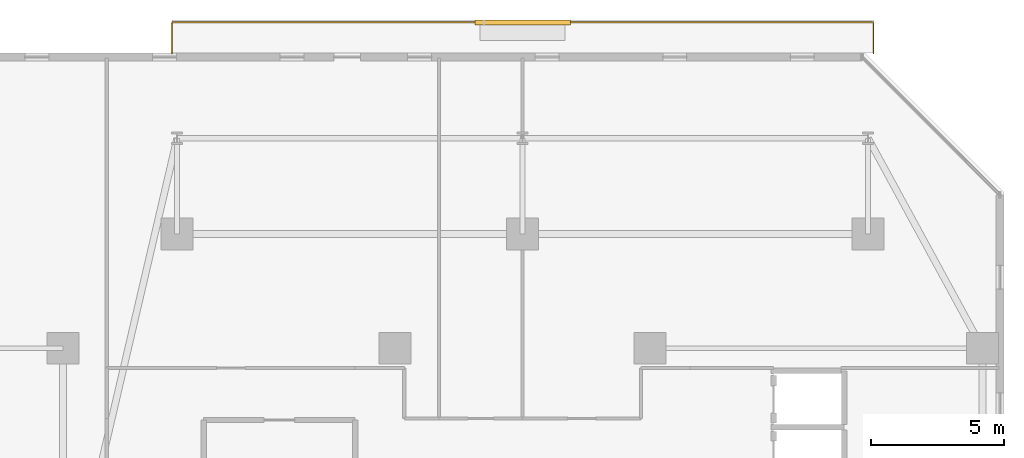
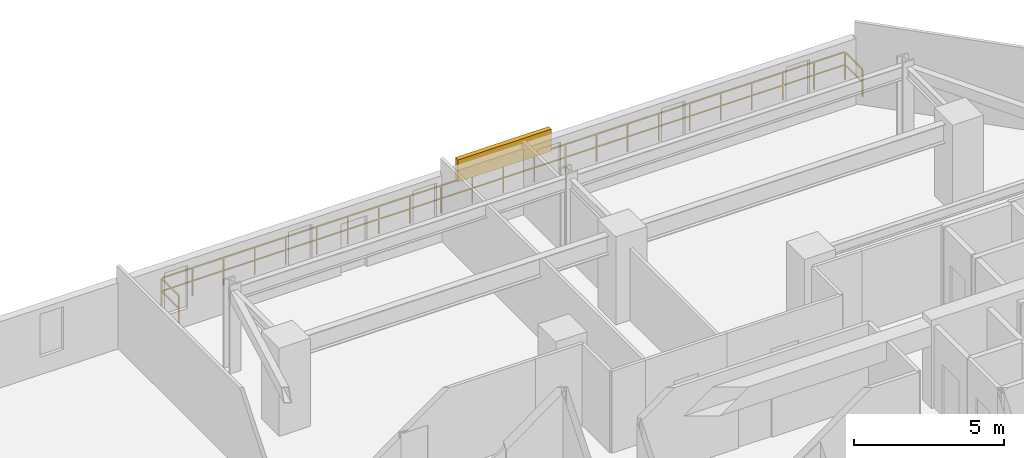
# One storey, part 31 of 31: 1 railing, 1 shading device.
"""IFC4 building model written with IfcOpenShell, lengths in metres."""

import ifcopenshell
import ifcopenshell.guid

model = None  # the IFC model being written
_history = None  # IfcOwnerHistory: only IFC2X3 demands one
_inside = {}  # id of a spatial element -> (the spatial element, [elements in it])
_under = {}  # id of a project, library or spatial element -> (it, [spatial elements below it])
_declared = {}  # id of a project -> (the project, [libraries it declares])
_typed = {}  # id of a type object -> (the type object, [elements of that type])
_made_of = {}  # id of a material, layer set ... -> (it, [elements and type objects made of it])


def new_model(schema):
    """Start an empty IFC model of exactly this schema.

    Asked for "IFC4X3", IfcOpenShell would pick the latest addendum, in which some entities
    have other attributes; the version numbers below select the first issue.
    IFC2X3 requires an IfcOwnerHistory on every rooted entity: one is made here for all.
    """
    global model, _history
    if schema == "IFC4X3":
        model = ifcopenshell.file(schema_version=(4, 3, 0, 0))
    else:
        model = ifcopenshell.file(schema=schema)
    _inside.clear()
    _under.clear()
    _declared.clear()
    _typed.clear()
    _made_of.clear()
    _history = None
    if model.schema == "IFC2X3":
        org = make("IfcOrganization", Name="unknown")
        user = make(
            "IfcPersonAndOrganization",
            ThePerson=make("IfcPerson", FamilyName="unknown"),
            TheOrganization=org,
        )
        app = make(
            "IfcApplication",
            ApplicationDeveloper=org,
            Version="unknown",
            ApplicationFullName="unknown",
            ApplicationIdentifier="unknown",
        )
        _history = make(
            "IfcOwnerHistory",
            OwningUser=user,
            OwningApplication=app,
            ChangeAction="ADDED",
            CreationDate=0,
        )
    return model


def make(cls, **values):
    """One entity of the class cls with the attributes given. An attribute that is None is left unset."""
    return model.create_entity(
        cls, **{name: value for name, value in values.items() if value is not None}
    )


def rooted(cls, **values):
    """An entity with a GlobalId (a new one), such as an element, a storey or a relation."""
    return make(cls, GlobalId=ifcopenshell.guid.new(), OwnerHistory=_history, **values)


def si_unit(unit_type, name, prefix=None):
    """IfcSIUnit, for example si_unit("LENGTHUNIT", "METRE", prefix="MILLI")."""
    return make("IfcSIUnit", UnitType=unit_type, Prefix=prefix, Name=name)


def assignment(units):
    """IfcUnitAssignment: the units of a project."""
    return None if units is None else make("IfcUnitAssignment", Units=units)


def point(xyz):
    """IfcCartesianPoint."""
    return None if xyz is None else make("IfcCartesianPoint", Coordinates=xyz)


def direction(xyz):
    """IfcDirection."""
    return None if xyz is None else make("IfcDirection", DirectionRatios=xyz)


def frame(location, z_axis=None, x_axis=None):
    """IfcAxis2Placement3D, a coordinate frame: its origin and axes. An axis left out is left unset."""
    return make(
        "IfcAxis2Placement3D",
        Location=point(location),
        Axis=direction(z_axis),
        RefDirection=direction(x_axis),
    )


def frame_2d(location, x_axis=None):
    """IfcAxis2Placement2D, a coordinate frame in the plane: its origin and x axis."""
    return make(
        "IfcAxis2Placement2D", Location=point(location), RefDirection=direction(x_axis)
    )


def origin():
    """The frame at (0, 0, 0) with its axes left unset."""
    return frame((0.0, 0.0, 0.0))


def origin_2d():
    """The frame at (0, 0) in the plane with its x axis left unset."""
    return frame_2d((0.0, 0.0))


def place(relative_to, where):
    """IfcLocalPlacement: puts the frame where relative to a parent placement (None: the world)."""
    return make(
        "IfcLocalPlacement", PlacementRelTo=relative_to, RelativePlacement=where
    )


def context(
    kind, dimensions, precision=None, world=None, true_north=None, identifier=None
):
    """IfcGeometricRepresentationContext, for example the 3D "Model" context."""
    return make(
        "IfcGeometricRepresentationContext",
        ContextIdentifier=identifier,
        ContextType=kind,
        CoordinateSpaceDimension=dimensions,
        Precision=precision,
        WorldCoordinateSystem=world,
        TrueNorth=true_north,
    )


def subcontext(parent, identifier, kind, view, scale=None):
    """IfcGeometricRepresentationSubContext, for example "Body" below "Model"."""
    return make(
        "IfcGeometricRepresentationSubContext",
        ContextIdentifier=identifier,
        ContextType=kind,
        ParentContext=parent,
        TargetScale=scale,
        TargetView=view,
    )


def project(units=None, contexts=None):
    """IfcProject with its units and contexts."""
    return rooted(
        "IfcProject",
        Name="project",
        RepresentationContexts=contexts,
        UnitsInContext=assignment(units),
    )


def spatial(cls, under=None, at=None, **own):
    """A site, building, storey or space (cls), placed at a placement, below another one or the project."""
    s = rooted(cls, ObjectPlacement=at, **own)
    if under is not None:
        _under.setdefault(under.id(), (under, []))[1].append(s)
    return s


def profile(cls, at=None, kind="AREA", **sizes):
    """A parametric profile (cls). Its sizes go by their IFC names, for example OverallWidth=200.0."""
    return make(cls, ProfileType=kind, Position=at, **sizes)


def rectangle(**sizes):
    """IfcRectangleProfileDef."""
    return profile("IfcRectangleProfileDef", **sizes)


def extrude(swept, where, along, depth):
    """IfcExtrudedAreaSolid: the profile swept, set in the frame where, extruded along a direction by depth."""
    return make(
        "IfcExtrudedAreaSolid",
        SweptArea=swept,
        Position=where,
        ExtrudedDirection=direction(along),
        Depth=depth,
    )


def shape(context_of_items, identifier, shape_type, items):
    """IfcShapeRepresentation: the items that make up one representation, for example the "Body"."""
    return make(
        "IfcShapeRepresentation",
        ContextOfItems=context_of_items,
        RepresentationIdentifier=identifier,
        RepresentationType=shape_type,
        Items=items,
    )


def material(Name=None, Category=None):
    """IfcMaterial."""
    return make("IfcMaterial", Name=Name, Category=Category)


def made_of(thing, what):
    """Note that an element or type object is made of a material, layer set ...; save() writes the relation."""
    if what is not None:
        _made_of.setdefault(what.id(), (what, []))[1].append(thing)
    return thing


def type_object(cls, material=None, **own):
    """A type object (cls), such as IfcWallType, which elements share."""
    return made_of(rooted(cls, **own), material)


def element(
    cls,
    number,
    at=None,
    inside=None,
    cuts=None,
    type_object=None,
    material=None,
    context=None,
    identifier="Body",
    shape_type=None,
    held_by="IfcProductDefinitionShape",
    body=None,
    shapes=None,
    **own,
):
    """One element of the class cls, such as IfcWall. Its Tag is "e" and its number.

    at: its placement. inside: the storey or other place that contains it. cuts: it is an
    opening in that element (IfcRelVoidsElement). A single representation is given by context,
    identifier, shape_type and body (its items); several are given by shapes. held_by: the class
    of the entity that holds the representations. save() writes the other relations.
    """
    e = rooted(cls, Tag="e%d" % number, ObjectPlacement=at, **own)
    if body is not None:
        shapes = [shape(context, identifier, shape_type, body)]
    if shapes is not None:
        e.Representation = make(held_by, Representations=shapes)
    if inside is not None:
        _inside.setdefault(inside.id(), (inside, []))[1].append(e)
    if cuts is not None:
        rooted(
            "IfcRelVoidsElement", RelatingBuildingElement=cuts, RelatedOpeningElement=e
        )
    if type_object is not None:
        _typed.setdefault(type_object.id(), (type_object, []))[1].append(e)
    return made_of(e, material)


def aggregate(whole, parts):
    """IfcRelAggregates: a whole, such as a stair, and the parts it consists of."""
    return rooted("IfcRelAggregates", RelatingObject=whole, RelatedObjects=parts)


def save(model, path):
    """Write the relations noted so far, then the file.

    IfcRelAggregates (storeys below a building ...), IfcRelContainedInSpatialStructure (elements
    in a storey), IfcRelDefinesByType, IfcRelAssociatesMaterial and IfcRelDeclares: one each for
    every whole, place, type object, material and project.
    """
    for whole, parts in _under.values():
        aggregate(whole, parts)
    for where, things in _inside.values():
        rooted(
            "IfcRelContainedInSpatialStructure",
            RelatedElements=things,
            RelatingStructure=where,
        )
    for kind, things in _typed.values():
        rooted("IfcRelDefinesByType", RelatedObjects=things, RelatingType=kind)
    for what, things in _made_of.values():
        rooted("IfcRelAssociatesMaterial", RelatedObjects=things, RelatingMaterial=what)
    for by, libraries in _declared.values():
        rooted("IfcRelDeclares", RelatingContext=by, RelatedDefinitions=libraries)
    model.write(path)


model = new_model("IFC4")

# Units and contexts
model_context = context("Model", 3, precision=1e-05, world=origin(), true_north=direction((0.0, 1.0)))
body_context = subcontext(model_context, "Body", "Model", "MODEL_VIEW")
ifc_project = project(units=[si_unit("LENGTHUNIT", "METRE"), si_unit("AREAUNIT", "SQUARE_METRE"), si_unit("VOLUMEUNIT", "CUBIC_METRE"), si_unit("PLANEANGLEUNIT", "RADIAN"), si_unit("MASSUNIT", "GRAM", prefix="KILO")], contexts=[model_context])

# Site, building, storey
site_placement = place(None, origin())
site = spatial("IfcSite", under=ifc_project, at=site_placement, CompositionType="ELEMENT")
building_placement = place(site_placement, origin())
building = spatial("IfcBuilding", under=site, at=building_placement, Name="Thornwick Lancets Civic Towers", CompositionType="ELEMENT")
storey_placement = place(building_placement, frame((0.0, 0.0, 87.300048828125)))
storey = spatial("IfcBuildingStorey", under=building, at=storey_placement, Name="L22", CompositionType="ELEMENT", Elevation=87.300048828125)

# Railing
ifc_material_1 = material(Name="Terracotta-capped laminated glass balustrade S355", Category="masonry")
railing_type = type_object("IfcRailingType", Name="RAIL_TERR_GUARD", PredefinedType="GUARDRAIL", material=ifc_material_1)
railing_placement = place(storey_placement, frame((75.300048828125, 51.10009765625, 0.0)))
element("IfcRailing", 1, at=railing_placement, inside=storey, type_object=railing_type, Name="L22 Tower B Balcony Guard N", PredefinedType="GUARDRAIL", context=body_context, shape_type="SweptSolid", body=[
    extrude(rectangle(XDim=0.048095703125, YDim=0.048095703125, at=origin_2d()), frame((0.0, 0.0, 1.1259765625), z_axis=(0.0, 1.0, 0.0), x_axis=(-1.0, 0.0, 0.0)), (0.0, 0.0, 1.0), 1.138671875),
    extrude(rectangle(XDim=0.0419921875, YDim=0.0419921875, at=origin_2d()), frame((0.0, 0.03759765625, 0.597900390625), z_axis=(0.0, 1.0, 0.0), x_axis=(-1.0, 0.0, 0.0)), (0.0, 0.0, 1.0), 1.094970703125),
    extrude(rectangle(XDim=0.048095703125, YDim=0.048095703125, at=origin_2d()), frame((0.03125, 1.169921875, 1.1259765625), z_axis=(1.0, 0.0, 0.0), x_axis=(0.0, 1.0, 0.0)), (0.0, 0.0, 1.0), 26.33740234375),
    extrude(rectangle(XDim=0.0419921875, YDim=0.0419921875, at=origin_2d()), frame((0.03759765625, 1.169921875, 0.597900390625), z_axis=(1.0, 0.0, 0.0), x_axis=(0.0, 1.0, 0.0)), (0.0, 0.0, 1.0), 1.125),
    extrude(rectangle(XDim=0.0419921875, YDim=0.0419921875, at=origin_2d()), frame((1.237548828125, 1.169921875, 0.597900390625), z_axis=(1.0, 0.0, 0.0), x_axis=(0.0, 1.0, 0.0)), (0.0, 0.0, 1.0), 1.125),
    extrude(rectangle(XDim=0.0419921875, YDim=0.0419921875, at=origin_2d()), frame((2.4375, 1.169921875, 0.597900390625), z_axis=(1.0, 0.0, 0.0), x_axis=(0.0, 1.0, 0.0)), (0.0, 0.0, 1.0), 1.125),
    extrude(rectangle(XDim=0.0419921875, YDim=0.0419921875, at=origin_2d()), frame((3.637451171875, 1.169921875, 0.597900390625), z_axis=(1.0, 0.0, 0.0), x_axis=(0.0, 1.0, 0.0)), (0.0, 0.0, 1.0), 1.125),
    extrude(rectangle(XDim=0.0419921875, YDim=0.0419921875, at=origin_2d()), frame((4.83740234375, 1.169921875, 0.597900390625), z_axis=(1.0, 0.0, 0.0), x_axis=(0.0, 1.0, 0.0)), (0.0, 0.0, 1.0), 1.125),
    extrude(rectangle(XDim=0.0419921875, YDim=0.0419921875, at=origin_2d()), frame((6.037353515625, 1.169921875, 0.597900390625), z_axis=(1.0, 0.0, 0.0), x_axis=(0.0, 1.0, 0.0)), (0.0, 0.0, 1.0), 1.125),
    extrude(rectangle(XDim=0.0419921875, YDim=0.0419921875, at=origin_2d()), frame((7.237548828125, 1.169921875, 0.597900390625), z_axis=(1.0, 0.0, 0.0), x_axis=(0.0, 1.0, 0.0)), (0.0, 0.0, 1.0), 1.125),
    extrude(rectangle(XDim=0.0419921875, YDim=0.0419921875, at=origin_2d()), frame((8.4375, 1.169921875, 0.597900390625), z_axis=(1.0, 0.0, 0.0), x_axis=(0.0, 1.0, 0.0)), (0.0, 0.0, 1.0), 1.125),
    extrude(rectangle(XDim=0.0419921875, YDim=0.0419921875, at=origin_2d()), frame((9.637451171875, 1.169921875, 0.597900390625), z_axis=(1.0, 0.0, 0.0), x_axis=(0.0, 1.0, 0.0)), (0.0, 0.0, 1.0), 1.125),
    extrude(rectangle(XDim=0.0419921875, YDim=0.0419921875, at=origin_2d()), frame((10.83740234375, 1.169921875, 0.597900390625), z_axis=(1.0, 0.0, 0.0), x_axis=(0.0, 1.0, 0.0)), (0.0, 0.0, 1.0), 1.125),
    extrude(rectangle(XDim=0.0419921875, YDim=0.0419921875, at=origin_2d()), frame((12.037353515625, 1.169921875, 0.597900390625), z_axis=(1.0, 0.0, 0.0), x_axis=(0.0, 1.0, 0.0)), (0.0, 0.0, 1.0), 1.125),
    extrude(rectangle(XDim=0.0419921875, YDim=0.0419921875, at=origin_2d()), frame((13.237548828125, 1.169921875, 0.597900390625), z_axis=(1.0, 0.0, 0.0), x_axis=(0.0, 1.0, 0.0)), (0.0, 0.0, 1.0), 1.125),
    extrude(rectangle(XDim=0.0419921875, YDim=0.0419921875, at=origin_2d()), frame((14.4375, 1.169921875, 0.597900390625), z_axis=(1.0, 0.0, 0.0), x_axis=(0.0, 1.0, 0.0)), (0.0, 0.0, 1.0), 1.125),
    extrude(rectangle(XDim=0.0419921875, YDim=0.0419921875, at=origin_2d()), frame((15.637451171875, 1.169921875, 0.597900390625), z_axis=(1.0, 0.0, 0.0), x_axis=(0.0, 1.0, 0.0)), (0.0, 0.0, 1.0), 1.125),
    extrude(rectangle(XDim=0.0419921875, YDim=0.0419921875, at=origin_2d()), frame((16.83740234375, 1.169921875, 0.597900390625), z_axis=(1.0, 0.0, 0.0), x_axis=(0.0, 1.0, 0.0)), (0.0, 0.0, 1.0), 1.125),
    extrude(rectangle(XDim=0.0419921875, YDim=0.0419921875, at=origin_2d()), frame((18.037353515625, 1.169921875, 0.597900390625), z_axis=(1.0, 0.0, 0.0), x_axis=(0.0, 1.0, 0.0)), (0.0, 0.0, 1.0), 1.125),
    extrude(rectangle(XDim=0.0419921875, YDim=0.0419921875, at=origin_2d()), frame((19.2373046875, 1.169921875, 0.597900390625), z_axis=(1.0, 0.0, 0.0), x_axis=(0.0, 1.0, 0.0)), (0.0, 0.0, 1.0), 1.125),
    extrude(rectangle(XDim=0.0419921875, YDim=0.0419921875, at=origin_2d()), frame((20.4375, 1.169921875, 0.597900390625), z_axis=(1.0, 0.0, 0.0), x_axis=(0.0, 1.0, 0.0)), (0.0, 0.0, 1.0), 1.125),
    extrude(rectangle(XDim=0.0419921875, YDim=0.0419921875, at=origin_2d()), frame((21.637451171875, 1.169921875, 0.597900390625), z_axis=(1.0, 0.0, 0.0), x_axis=(0.0, 1.0, 0.0)), (0.0, 0.0, 1.0), 1.125),
    extrude(rectangle(XDim=0.0419921875, YDim=0.0419921875, at=origin_2d()), frame((22.83740234375, 1.169921875, 0.597900390625), z_axis=(1.0, 0.0, 0.0), x_axis=(0.0, 1.0, 0.0)), (0.0, 0.0, 1.0), 1.125),
    extrude(rectangle(XDim=0.0419921875, YDim=0.0419921875, at=origin_2d()), frame((24.037353515625, 1.169921875, 0.597900390625), z_axis=(1.0, 0.0, 0.0), x_axis=(0.0, 1.0, 0.0)), (0.0, 0.0, 1.0), 1.125),
    extrude(rectangle(XDim=0.0419921875, YDim=0.0419921875, at=origin_2d()), frame((25.2373046875, 1.169921875, 0.597900390625), z_axis=(1.0, 0.0, 0.0), x_axis=(0.0, 1.0, 0.0)), (0.0, 0.0, 1.0), 1.125),
    extrude(rectangle(XDim=0.048095703125, YDim=0.048095703125, at=origin_2d()), frame((26.39990234375, 1.138671875, 1.1259765625), z_axis=(0.0, -1.0, 0.0), x_axis=(1.0, 0.0, 0.0)), (0.0, 0.0, 1.0), 1.138671875),
    extrude(rectangle(XDim=0.0419921875, YDim=0.0419921875, at=origin_2d()), frame((26.39990234375, 1.13232421875, 0.597900390625), z_axis=(0.0, -1.0, 0.0), x_axis=(1.0, 0.0, 0.0)), (0.0, 0.0, 1.0), 1.094970703125),
    extrude(rectangle(XDim=0.0419921875, YDim=0.0419921875, at=origin_2d()), origin(), (0.0, 0.0, 1.0), 1.095703125),
    extrude(rectangle(XDim=0.0419921875, YDim=0.0419921875, at=origin_2d()), frame((0.0, 1.169921875, 0.0)), (0.0, 0.0, 1.0), 1.095703125),
    extrude(rectangle(XDim=0.0419921875, YDim=0.0419921875, at=origin_2d()), frame((1.199951171875, 1.169921875, 0.0)), (0.0, 0.0, 1.0), 1.095703125),
    extrude(rectangle(XDim=0.0419921875, YDim=0.0419921875, at=origin_2d()), frame((2.39990234375, 1.169921875, 0.0)), (0.0, 0.0, 1.0), 1.095703125),
    extrude(rectangle(XDim=0.0419921875, YDim=0.0419921875, at=origin_2d()), frame((3.60009765625, 1.169921875, 0.0)), (0.0, 0.0, 1.0), 1.095703125),
    extrude(rectangle(XDim=0.0419921875, YDim=0.0419921875, at=origin_2d()), frame((4.800048828125, 1.169921875, 0.0)), (0.0, 0.0, 1.0), 1.095703125),
    extrude(rectangle(XDim=0.0419921875, YDim=0.0419921875, at=origin_2d()), frame((6.0, 1.169921875, 0.0)), (0.0, 0.0, 1.0), 1.095703125),
    extrude(rectangle(XDim=0.0419921875, YDim=0.0419921875, at=origin_2d()), frame((7.199951171875, 1.169921875, 0.0)), (0.0, 0.0, 1.0), 1.095703125),
    extrude(rectangle(XDim=0.0419921875, YDim=0.0419921875, at=origin_2d()), frame((8.39990234375, 1.169921875, 0.0)), (0.0, 0.0, 1.0), 1.095703125),
    extrude(rectangle(XDim=0.0419921875, YDim=0.0419921875, at=origin_2d()), frame((9.599853515625, 1.169921875, 0.0)), (0.0, 0.0, 1.0), 1.095703125),
    extrude(rectangle(XDim=0.0419921875, YDim=0.0419921875, at=origin_2d()), frame((10.800048828125, 1.169921875, 0.0)), (0.0, 0.0, 1.0), 1.095703125),
    extrude(rectangle(XDim=0.0419921875, YDim=0.0419921875, at=origin_2d()), frame((12.0, 1.169921875, 0.0)), (0.0, 0.0, 1.0), 1.095703125),
    extrude(rectangle(XDim=0.0419921875, YDim=0.0419921875, at=origin_2d()), frame((13.199951171875, 1.169921875, 0.0)), (0.0, 0.0, 1.0), 1.095703125),
    extrude(rectangle(XDim=0.0419921875, YDim=0.0419921875, at=origin_2d()), frame((14.39990234375, 1.169921875, 0.0)), (0.0, 0.0, 1.0), 1.095703125),
    extrude(rectangle(XDim=0.0419921875, YDim=0.0419921875, at=origin_2d()), frame((15.599853515625, 1.169921875, 0.0)), (0.0, 0.0, 1.0), 1.095703125),
    extrude(rectangle(XDim=0.0419921875, YDim=0.0419921875, at=origin_2d()), frame((16.800048828125, 1.169921875, 0.0)), (0.0, 0.0, 1.0), 1.095703125),
    extrude(rectangle(XDim=0.0419921875, YDim=0.0419921875, at=origin_2d()), frame((18.0, 1.169921875, 0.0)), (0.0, 0.0, 1.0), 1.095703125),
    extrude(rectangle(XDim=0.0419921875, YDim=0.0419921875, at=origin_2d()), frame((19.199951171875, 1.169921875, 0.0)), (0.0, 0.0, 1.0), 1.095703125),
    extrude(rectangle(XDim=0.0419921875, YDim=0.0419921875, at=origin_2d()), frame((20.39990234375, 1.169921875, 0.0)), (0.0, 0.0, 1.0), 1.095703125),
    extrude(rectangle(XDim=0.0419921875, YDim=0.0419921875, at=origin_2d()), frame((21.599853515625, 1.169921875, 0.0)), (0.0, 0.0, 1.0), 1.095703125),
    extrude(rectangle(XDim=0.0419921875, YDim=0.0419921875, at=origin_2d()), frame((22.7998046875, 1.169921875, 0.0)), (0.0, 0.0, 1.0), 1.095703125),
    extrude(rectangle(XDim=0.0419921875, YDim=0.0419921875, at=origin_2d()), frame((24.0, 1.169921875, 0.0)), (0.0, 0.0, 1.0), 1.095703125),
    extrude(rectangle(XDim=0.0419921875, YDim=0.0419921875, at=origin_2d()), frame((25.199951171875, 1.169921875, 0.0)), (0.0, 0.0, 1.0), 1.095703125),
    extrude(rectangle(XDim=0.0419921875, YDim=0.0419921875, at=origin_2d()), frame((26.39990234375, 1.169921875, 0.0)), (0.0, 0.0, 1.0), 1.095703125),
    extrude(rectangle(XDim=0.0419921875, YDim=0.0419921875, at=origin_2d()), frame((26.39990234375, 0.0, 0.0)), (0.0, 0.0, 1.0), 1.095703125),
])

# Shading device
ifc_material_2 = material(Name="Extruded terracotta baguette solar screen", Category="masonry")
shading_device_type = type_object("IfcShadingDeviceType", Name="SHADE_BAGUETTE", PredefinedType="JALOUSIE", material=ifc_material_2)
shading_device_placement = place(storey_placement, frame((88.5, 52.260009765625, 1.1201171875), z_axis=(0.0, 0.0, 1.0), x_axis=(1.0, 0.0, 0.0)))
element("IfcShadingDevice", 2, at=shading_device_placement, inside=storey, type_object=shading_device_type, Name="L22 Tower B Terracotta Baguette Screen N", PredefinedType="JALOUSIE", context=body_context, shape_type="SweptSolid", body=[
    extrude(rectangle(XDim=3.60009765625, YDim=0.179931640625, at=origin_2d()), origin(), (0.0, 0.0, 1.0), 0.89990234375),
])

save(model, "model.ifc")
